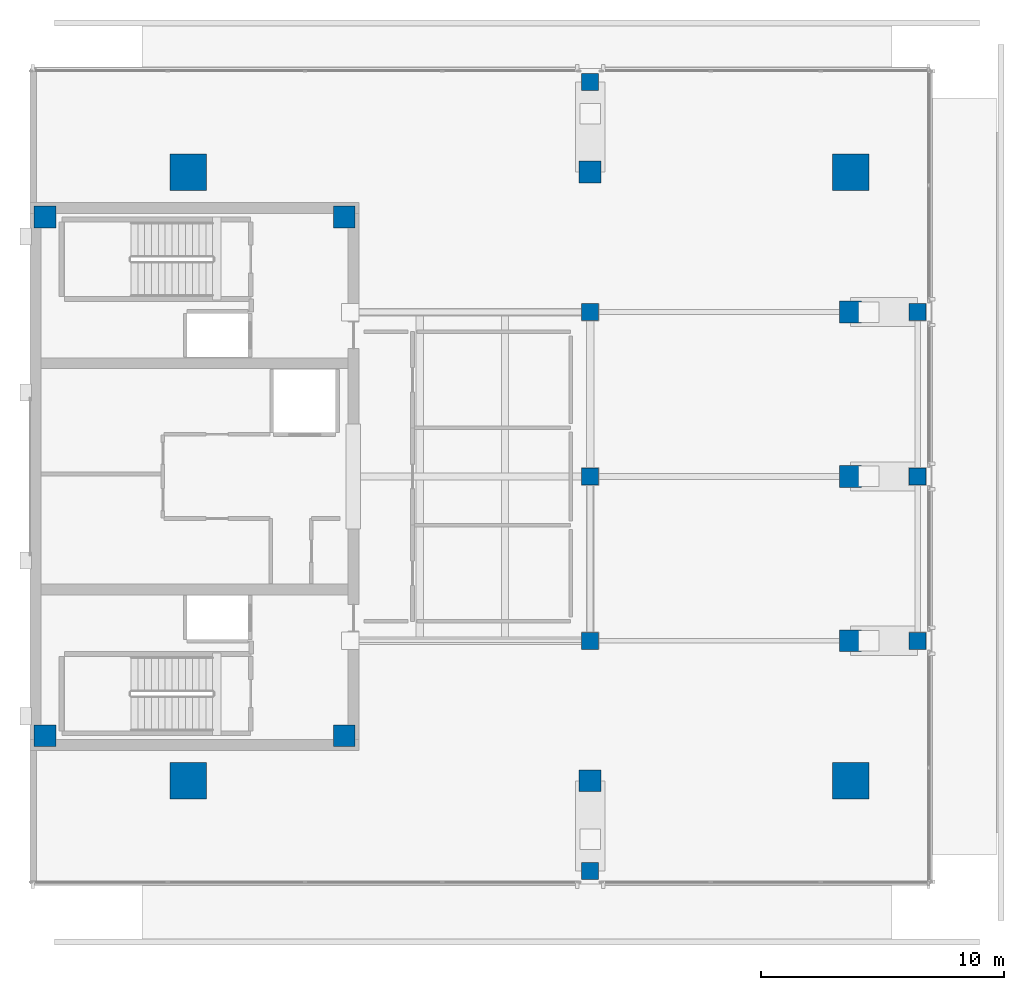
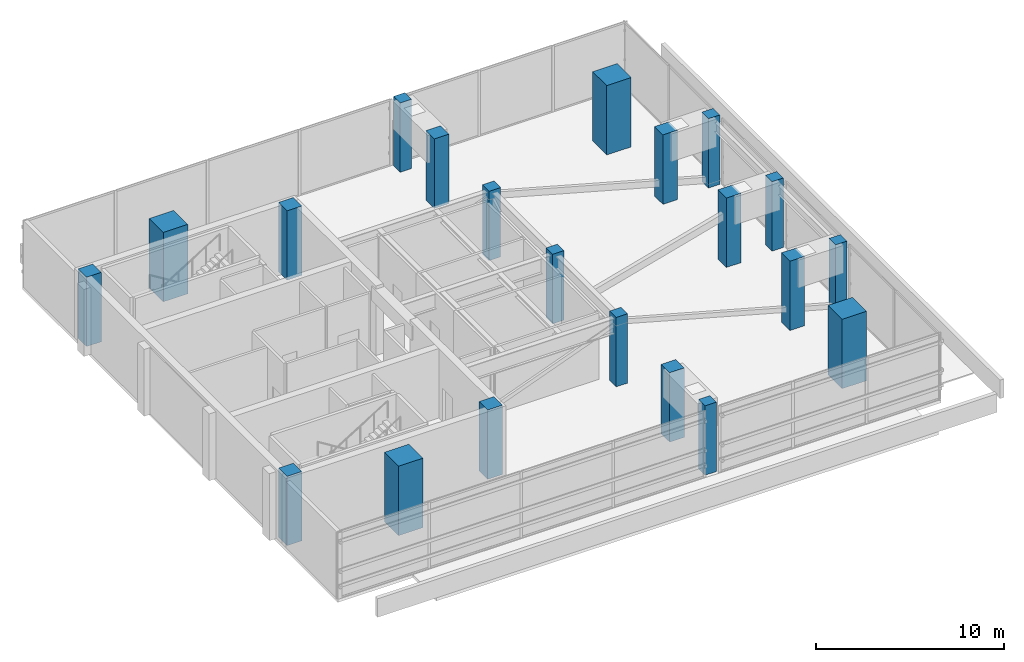
# One storey, part 1 of 13: 21 columns.
"""IFC4 building model written with IfcOpenShell, lengths in metres."""

from ifc_helpers import new_model, si_unit, direction, frame, origin, origin_2d, place, context, subcontext, project, spatial, rectangle, extrude, material, material_profile, profile_set, type_object, element, save


model = new_model("IFC4")

# Units and contexts
model_context = context("Model", 3, precision=1e-05, world=origin(), true_north=direction((0.0, 1.0)))
body_context = subcontext(model_context, "Body", "Model", "MODEL_VIEW")
ifc_project = project(units=[si_unit("LENGTHUNIT", "METRE"), si_unit("AREAUNIT", "SQUARE_METRE"), si_unit("VOLUMEUNIT", "CUBIC_METRE"), si_unit("PLANEANGLEUNIT", "RADIAN"), si_unit("MASSUNIT", "GRAM", prefix="KILO")], contexts=[model_context])

# Site, building, storey
site_placement = place(None, origin())
site = spatial("IfcSite", under=ifc_project, at=site_placement, CompositionType="ELEMENT")
building_placement = place(site_placement, origin())
building = spatial("IfcBuilding", under=site, at=building_placement, Name="Kinhvarn Gate Tower", CompositionType="ELEMENT")
storey_placement = place(building_placement, frame((0.0, 0.0, 303.050048828125)))
storey = spatial("IfcBuildingStorey", under=building, at=storey_placement, Name="L80", CompositionType="ELEMENT", Elevation=303.050048828125)

# Columns
ifc_material_1 = material(Name="Concrete C50/60", Category="concrete")
ifc_material_profile_1 = material_profile(ifc_material_1, rectangle(XDim=1.5, YDim=1.5, at=origin_2d()), Name="RC 1500x1500")
ifc_profile_set_1 = profile_set([ifc_material_profile_1], Name="Concrete C50/60")
column_type_1 = type_object("IfcColumnType", Name="COL-MC-1500", PredefinedType="COLUMN", material=ifc_profile_set_1)
for number, where, z_axis, x_axis, name in (
    (1, (11.0, 12.75, 0.0), (0.0, 0.0, 1.0), (1.0, 0.0, 0.0), "Column MC1-L80 (MC-15)"),
    (2, (11.0, 37.75, 0.0), (0.0, 0.0, 1.0), (1.0, 0.0, 0.0), "Column MC4-L80 (MC-15)"),
    (3, (38.199951171875, 12.75, 0.0), (0.0, 0.0, 1.0), (1.0, 0.0, 0.0), "Column MC2-L80 (MC-15)"),
    (4, (38.199951171875, 37.75, 0.0), (0.0, 0.0, 1.0), (1.0, 0.0, 0.0), "Column MC3-L80 (MC-15)"),
):
    element("IfcColumn", number, at=place(storey_placement, frame(where, z_axis=z_axis, x_axis=x_axis)), inside=storey, type_object=column_type_1, Name=name, PredefinedType="COLUMN", context=body_context, shape_type="SweptSolid", body=[
        extrude(rectangle(XDim=1.5, YDim=1.5, at=origin_2d()), origin(), (0.0, 0.0, 1.0), 4.5),
    ])
ifc_material_profile_2 = material_profile(ifc_material_1, rectangle(XDim=0.699951171875, YDim=0.699951171875, at=origin_2d()), Name="RC 700x700")
ifc_profile_set_2 = profile_set([ifc_material_profile_2], Name="Concrete C50/60")
column_type_2 = type_object("IfcColumnType", Name="COL-RC-700", PredefinedType="COLUMN", material=ifc_profile_set_2)
for number, where, z_axis, x_axis, name in (
    (5, (40.949951171875, 18.5, 0.0), (0.0, 0.0, 1.0), (1.0, 0.0, 0.0), "Column CCR-E1-L80 (C-070)"),
    (6, (27.5, 18.5, 0.0), (0.0, 0.0, 1.0), (1.0, 0.0, 0.0), "Column CRANC-1-L80 (C-070)"),
    (7, (40.949951171875, 25.25, 0.0), (0.0, 0.0, 1.0), (1.0, 0.0, 0.0), "Column CCR-E2-L80 (C-070)"),
    (8, (27.5, 25.25, 0.0), (0.0, 0.0, 1.0), (1.0, 0.0, 0.0), "Column CRANC-2-L80 (C-070)"),
    (9, (40.949951171875, 32.0, 0.0), (0.0, 0.0, 1.0), (1.0, 0.0, 0.0), "Column CCR-E3-L80 (C-070)"),
    (10, (27.5, 32.0, 0.0), (0.0, 0.0, 1.0), (1.0, 0.0, 0.0), "Column CRANC-3-L80 (C-070)"),
    (11, (27.5, 9.050048828125, 0.0), (0.0, 0.0, 1.0), (1.0, 0.0, 0.0), "Column CCR-S1-L80 (C-070)"),
    (12, (27.5, 41.449951171875, 0.0), (0.0, 0.0, 1.0), (1.0, 0.0, 0.0), "Column CCR-N1-L80 (C-070)"),
):
    element("IfcColumn", number, at=place(storey_placement, frame(where, z_axis=z_axis, x_axis=x_axis)), inside=storey, type_object=column_type_2, Name=name, PredefinedType="COLUMN", context=body_context, shape_type="SweptSolid", body=[
        extrude(rectangle(XDim=0.699951171875, YDim=0.699951171875, at=origin_2d()), origin(), (0.0, 0.0, 1.0), 4.5),
    ])
ifc_material_2 = material(Name="Concrete C60/75", Category="concrete")
ifc_material_profile_3 = material_profile(ifc_material_2, rectangle(XDim=0.89990234375, YDim=0.89990234375, at=origin_2d()), Name="RC 900x900")
ifc_profile_set_3 = profile_set([ifc_material_profile_3], Name="Concrete C60/75")
column_type_3 = type_object("IfcColumnType", Name="COL-RC-900", PredefinedType="COLUMN", material=ifc_profile_set_3)
for number, where, z_axis, x_axis, name in (
    (13, (27.5, 12.75, 0.0), (0.0, 0.0, 1.0), (1.0, 0.0, 0.0), "Column SP27-S-L80 (C-090)"),
    (14, (27.5, 37.75, 0.0), (0.0, 0.0, 1.0), (1.0, 0.0, 0.0), "Column SP27-N-L80 (C-090)"),
    (15, (38.199951171875, 18.5, 0.0), (0.0, 0.0, 1.0), (1.0, 0.0, 0.0), "Column SP38-E1-L80 (C-090)"),
    (16, (38.199951171875, 25.25, 0.0), (0.0, 0.0, 1.0), (1.0, 0.0, 0.0), "Column SP38-E2-L80 (C-090)"),
    (17, (38.199951171875, 32.0, 0.0), (0.0, 0.0, 1.0), (1.0, 0.0, 0.0), "Column SP38-E3-L80 (C-090)"),
):
    element("IfcColumn", number, at=place(storey_placement, frame(where, z_axis=z_axis, x_axis=x_axis)), inside=storey, type_object=column_type_3, Name=name, PredefinedType="COLUMN", context=body_context, shape_type="SweptSolid", body=[
        extrude(rectangle(XDim=0.89990234375, YDim=0.89990234375, at=origin_2d()), origin(), (0.0, 0.0, 1.0), 4.5),
    ])
ifc_material_profile_4 = material_profile(ifc_material_1, rectangle(XDim=0.89990234375, YDim=0.89990234375, at=origin_2d()), Name="RC 900x900")
ifc_profile_set_4 = profile_set([ifc_material_profile_4], Name="Concrete C50/60")
column_type_4 = type_object("IfcColumnType", Name="PIL-RC-900", PredefinedType="PILASTER", material=ifc_profile_set_4)
for number, where, z_axis, x_axis, name in (
    (18, (5.10009765625, 14.60009765625, 0.0), (0.0, 0.0, 1.0), (1.0, 0.0, 0.0), "Column CC-SW-L80 (CP-090)"),
    (19, (5.10009765625, 35.89990234375, 0.0), (0.0, 0.0, 1.0), (1.0, 0.0, 0.0), "Column CC-NW-L80 (CP-090)"),
    (20, (17.39990234375, 14.60009765625, 0.0), (0.0, 0.0, 1.0), (1.0, 0.0, 0.0), "Column CC-SE-L80 (CP-090)"),
    (21, (17.39990234375, 35.89990234375, 0.0), (0.0, 0.0, 1.0), (1.0, 0.0, 0.0), "Column CC-NE-L80 (CP-090)"),
):
    element("IfcColumn", number, at=place(storey_placement, frame(where, z_axis=z_axis, x_axis=x_axis)), inside=storey, type_object=column_type_4, Name=name, PredefinedType="PILASTER", context=body_context, shape_type="SweptSolid", body=[
        extrude(rectangle(XDim=0.89990234375, YDim=0.89990234375, at=origin_2d()), origin(), (0.0, 0.0, 1.0), 4.5),
    ])

save(model, "model.ifc")
